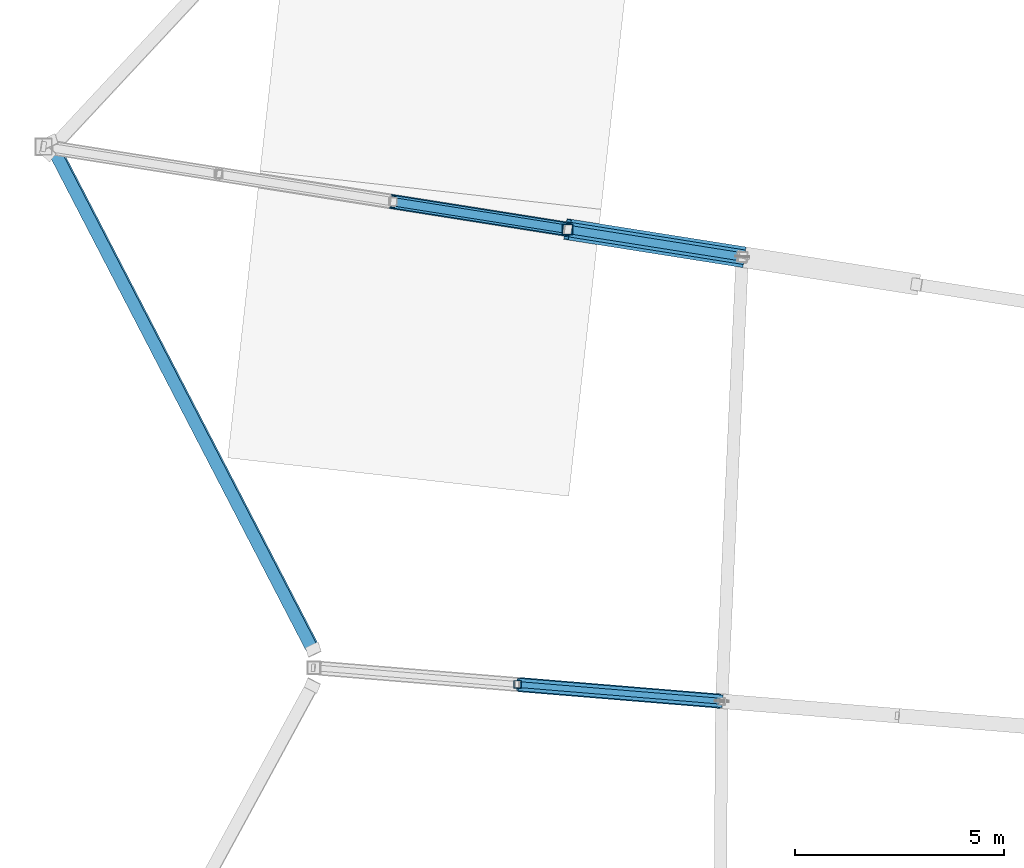
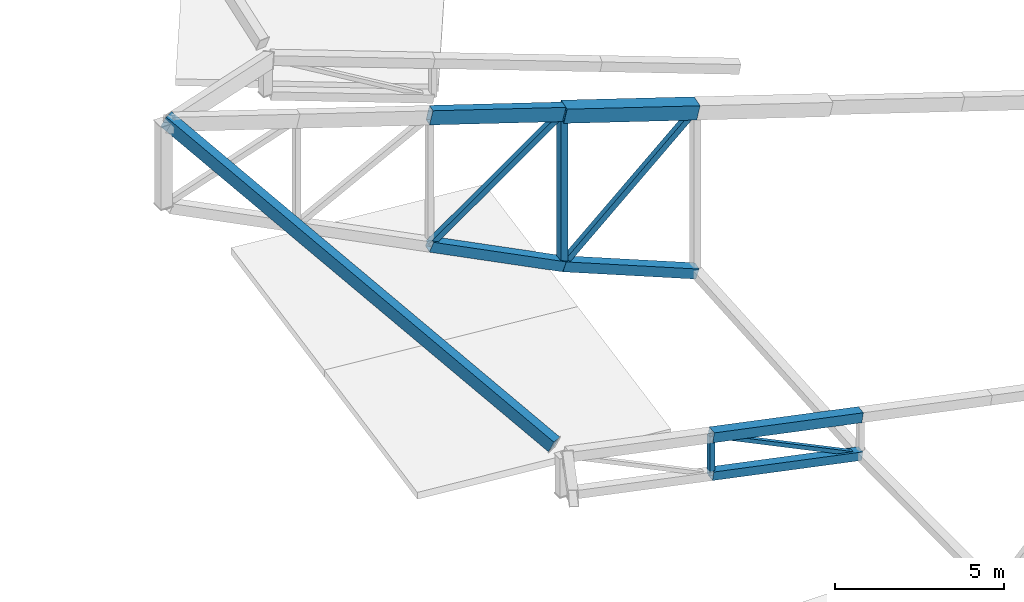
# One storey, part 63 of 188: 11 members, 1 beam.
"""IFC4 building model written with IfcOpenShell, lengths in metres."""

from ifc_helpers import new_model, si_unit, direction, frame, origin, origin_2d, place, context, subcontext, project, spatial, hollow_rectangle, extrude, material, material_profile, profile_set, type_object, element, save


model = new_model("IFC4")

# Units and contexts
model_context = context("Model", 3, precision=1e-05, world=origin(), true_north=direction((0.0, 1.0)))
body_context = subcontext(model_context, "Body", "Model", "MODEL_VIEW")
ifc_project = project(units=[si_unit("LENGTHUNIT", "METRE"), si_unit("AREAUNIT", "SQUARE_METRE"), si_unit("VOLUMEUNIT", "CUBIC_METRE"), si_unit("PLANEANGLEUNIT", "RADIAN"), si_unit("MASSUNIT", "GRAM", prefix="KILO")], contexts=[model_context])

# Site, building, storey
site_placement = place(None, origin())
site = spatial("IfcSite", under=ifc_project, at=site_placement, CompositionType="ELEMENT")
building_placement = place(site_placement, origin())
building = spatial("IfcBuilding", under=site, at=building_placement, Name="Meseta Stadium", CompositionType="ELEMENT")
storey_placement = place(building_placement, frame((0.0, 0.0, 30.0)))
storey = spatial("IfcBuildingStorey", under=building, at=storey_placement, Name="ROOF", CompositionType="ELEMENT", Elevation=30.0)

# Beam
ifc_material_1 = material(Name="Steel S355", Category="steel")
ifc_material_profile_1 = material_profile(ifc_material_1, hollow_rectangle(XDim=0.300048828125, YDim=0.5, WallThickness=0.01611328125, at=origin_2d()), Name="RHS 500x300x16")
ifc_profile_set_1 = profile_set([ifc_material_profile_1], Name="Steel S355")
beam_type = type_object("IfcBeamType", Name="RHS 500x300x16 rim ring beam", PredefinedType="BEAM", material=ifc_profile_set_1)
beam_placement = place(storey_placement, frame((-100.89599609375, 56.314697265625, 10.416015625), z_axis=(0.413927542639, -0.798947238939, -0.436288091559), x_axis=(0.900185463421, 0.43053093908, 0.065644816557)))
element("IfcBeam", 1, at=beam_placement, inside=storey, type_object=beam_type, Name="RIM RING BEAM 29", PredefinedType="BEAM", context=body_context, shape_type="SweptSolid", body=[
    extrude(hollow_rectangle(XDim=0.300048828125, YDim=0.5, WallThickness=0.01611328125, at=origin_2d()), origin(), (0.0, 0.0, 1.0), 15.176513671875),
])

# Members
ifc_material_2 = material(Name="Steel S355", Category="steel")
ifc_material_profile_2 = material_profile(ifc_material_2, hollow_rectangle(XDim=0.300048828125, YDim=0.5, WallThickness=0.01611328125, at=origin_2d()), Name="RHS 500x300x16")
ifc_profile_set_2 = profile_set([ifc_material_profile_2], Name="Steel S355")
member_type_1 = type_object("IfcMemberType", Name="RHS 500x300x16 top chord", PredefinedType="CHORD", material=ifc_profile_set_2)
member_1_placement = place(storey_placement, frame((-88.535400390625, 54.224853515625, 7.621337890625), z_axis=(-0.964269528761, 0.152351087112, 0.216733527999), x_axis=(-0.156060520601, -0.987747495016, 0.0)))
element("IfcMember", 2, at=member_1_placement, inside=storey, type_object=member_type_1, Name="ROOF TRUSS RT-28 top chord", PredefinedType="CHORD", context=body_context, shape_type="SweptSolid", body=[
    extrude(hollow_rectangle(XDim=0.300048828125, YDim=0.5, WallThickness=0.01611328125, at=origin_2d()), origin(), (0.0, 0.0, 1.0), 4.32666015625),
])
ifc_material_3 = material(Name="Steel S355", Category="steel")
ifc_material_profile_3 = material_profile(ifc_material_3, hollow_rectangle(XDim=0.139892578125, YDim=0.139892578125, WallThickness=0.0048828125, at=origin_2d()), Name="SHS 140x140x5")
ifc_profile_set_3 = profile_set([ifc_material_profile_3], Name="Steel S355")
member_type_2 = type_object("IfcMemberType", Name="SHS 140x140x5 diagonal", PredefinedType="BRACE", material=ifc_profile_set_3)
member_2_placement = place(storey_placement, frame((-84.85400390625, 42.948486328125, 0.800048828125), z_axis=(-0.913056189268, 0.075112137414, 0.400857283896), x_axis=(-0.081987573325, -0.99663335175, 0.0)))
element("IfcMember", 3, at=member_2_placement, inside=storey, type_object=member_type_2, Name="ROOF TRUSS RT-29 diagonal", PredefinedType="BRACE", context=body_context, shape_type="SweptSolid", body=[
    extrude(hollow_rectangle(XDim=0.139892578125, YDim=0.139892578125, WallThickness=0.0048828125, at=origin_2d()), origin(), (0.0, 0.0, 1.0), 5.337158203125),
])
ifc_material_4 = material(Name="Steel S355", Category="steel")
ifc_material_profile_4 = material_profile(ifc_material_4, hollow_rectangle(XDim=0.179931640625, YDim=0.179931640625, WallThickness=0.00634765625, at=origin_2d()), Name="SHS 180x180x6.3")
ifc_profile_set_4 = profile_set([ifc_material_profile_4], Name="Steel S355")
member_type_3 = type_object("IfcMemberType", Name="SHS 180x180x6.3 post", PredefinedType="POST", material=ifc_profile_set_4)
member_3_placement = place(storey_placement, frame((-89.72705078125, 43.349365234375, 1.53369140625), z_axis=(0.0, 0.0, 1.0), x_axis=(1.0, 0.0, 0.0)))
element("IfcMember", 4, at=member_3_placement, inside=storey, type_object=member_type_3, Name="ROOF TRUSS RT-29 post", PredefinedType="POST", context=body_context, shape_type="SweptSolid", body=[
    extrude(hollow_rectangle(XDim=0.179931640625, YDim=0.179931640625, WallThickness=0.00634765625, at=origin_2d()), origin(), (0.0, 0.0, 1.0), 1.40576171875),
])
ifc_material_5 = material(Name="Steel S355", Category="steel")
ifc_material_profile_5 = material_profile(ifc_material_5, hollow_rectangle(XDim=0.199951171875, YDim=0.199951171875, WallThickness=0.008056640625, at=origin_2d()), Name="SHS 200x200x8")
ifc_profile_set_5 = profile_set([ifc_material_profile_5], Name="Steel S355")
member_type_4 = type_object("IfcMemberType", Name="SHS 200x200x8 diagonal", PredefinedType="BRACE", material=ifc_profile_set_5)
member_4_placement = place(storey_placement, frame((-84.36328125, 53.5654296875, 6.683349609375), z_axis=(-0.671062586464, 0.106064722689, -0.733774679073), x_axis=(-0.156116912313, -0.98773858368, 0.0)))
element("IfcMember", 5, at=member_4_placement, inside=storey, type_object=member_type_4, Name="ROOF TRUSS RT-28 diagonal", PredefinedType="BRACE", context=body_context, shape_type="SweptSolid", body=[
    extrude(hollow_rectangle(XDim=0.199951171875, YDim=0.199951171875, WallThickness=0.008056640625, at=origin_2d()), origin(), (0.0, 0.0, 1.0), 6.21728515625),
])
member_5_placement = place(storey_placement, frame((-88.535400390625, 54.224853515625, 7.621337890625), z_axis=(-0.740492693819, 0.116995159068, -0.661802616461), x_axis=(-0.156060520601, -0.987747495016, 0.0)))
element("IfcMember", 6, at=member_5_placement, inside=storey, type_object=member_type_4, Name="ROOF TRUSS RT-28 diagonal", PredefinedType="BRACE", context=body_context, shape_type="SweptSolid", body=[
    extrude(hollow_rectangle(XDim=0.199951171875, YDim=0.199951171875, WallThickness=0.008056640625, at=origin_2d()), origin(), (0.0, 0.0, 1.0), 5.63427734375),
])
ifc_material_6 = material(Name="Steel S355", Category="steel")
ifc_material_profile_6 = material_profile(ifc_material_6, hollow_rectangle(XDim=0.25, YDim=0.25, WallThickness=0.010009765625, at=origin_2d()), Name="SHS 250x250x10")
ifc_profile_set_6 = profile_set([ifc_material_profile_6], Name="Steel S355")
member_type_5 = type_object("IfcMemberType", Name="SHS 250x250x10 post", PredefinedType="POST", material=ifc_profile_set_6)
member_6_placement = place(storey_placement, frame((-88.535400390625, 54.224853515625, 2.121337890625), z_axis=(0.0, 0.0, 1.0), x_axis=(1.0, 0.0, 0.0)))
element("IfcMember", 7, at=member_6_placement, inside=storey, type_object=member_type_5, Name="ROOF TRUSS RT-28 post", PredefinedType="POST", context=body_context, shape_type="SweptSolid", body=[
    extrude(hollow_rectangle(XDim=0.25, YDim=0.25, WallThickness=0.010009765625, at=origin_2d()), origin(), (0.0, 0.0, 1.0), 5.5),
])
ifc_material_7 = material(Name="Steel S355", Category="steel")
ifc_material_profile_7 = material_profile(ifc_material_7, hollow_rectangle(XDim=0.300048828125, YDim=0.300048828125, WallThickness=0.010009765625, at=origin_2d()), Name="SHS 300x300x10")
ifc_profile_set_7 = profile_set([ifc_material_profile_7], Name="Steel S355")
member_type_6 = type_object("IfcMemberType", Name="SHS 300x300x10 bottom chord", PredefinedType="CHORD", material=ifc_profile_set_7)
member_7_placement = place(storey_placement, frame((-84.85400390625, 42.948486328125, 0.800048828125), z_axis=(-0.985600553192, 0.081079965348, 0.148383249616), x_axis=(-0.081987573325, -0.99663335175, 0.0)))
element("IfcMember", 8, at=member_7_placement, inside=storey, type_object=member_type_6, Name="ROOF TRUSS RT-29 bottom chord", PredefinedType="CHORD", context=body_context, shape_type="SweptSolid", body=[
    extrude(hollow_rectangle(XDim=0.300048828125, YDim=0.300048828125, WallThickness=0.010009765625, at=origin_2d()), origin(), (0.0, 0.0, 1.0), 4.9443359375),
])
ifc_material_8 = material(Name="Steel S355", Category="steel")
ifc_material_profile_8 = material_profile(ifc_material_8, hollow_rectangle(XDim=0.35009765625, YDim=0.35009765625, WallThickness=0.010009765625, at=origin_2d()), Name="SHS 350x350x10")
ifc_profile_set_8 = profile_set([ifc_material_profile_8], Name="Steel S355")
member_type_7 = type_object("IfcMemberType", Name="SHS 350x350x10 bottom chord", PredefinedType="CHORD", material=ifc_profile_set_8)
member_8_placement = place(storey_placement, frame((-84.36328125, 53.5654296875, 0.800048828125), z_axis=(-0.942692976279, 0.14899723383, 0.298546104958), x_axis=(-0.156116912313, -0.98773858368, 0.0)))
element("IfcMember", 9, at=member_8_placement, inside=storey, type_object=member_type_7, Name="ROOF TRUSS RT-28 bottom chord", PredefinedType="CHORD", context=body_context, shape_type="SweptSolid", body=[
    extrude(hollow_rectangle(XDim=0.35009765625, YDim=0.35009765625, WallThickness=0.010009765625, at=origin_2d()), origin(), (0.0, 0.0, 1.0), 4.42578125),
])
member_9_placement = place(storey_placement, frame((-88.535400390625, 54.224853515625, 2.121337890625), z_axis=(-0.910899881436, 0.143918876463, 0.386715351385), x_axis=(-0.156060520601, -0.987747495016, 0.0)))
element("IfcMember", 10, at=member_9_placement, inside=storey, type_object=member_type_7, Name="ROOF TRUSS RT-28 bottom chord", PredefinedType="CHORD", context=body_context, shape_type="SweptSolid", body=[
    extrude(hollow_rectangle(XDim=0.35009765625, YDim=0.35009765625, WallThickness=0.010009765625, at=origin_2d()), origin(), (0.0, 0.0, 1.0), 4.580322265625),
])
ifc_material_9 = material(Name="Steel S355", Category="steel")
ifc_material_profile_9 = material_profile(ifc_material_9, hollow_rectangle(XDim=0.35009765625, YDim=0.35009765625, WallThickness=0.010009765625, at=origin_2d()), Name="SHS 350x350x10")
ifc_profile_set_9 = profile_set([ifc_material_profile_9], Name="Steel S355")
member_type_8 = type_object("IfcMemberType", Name="SHS 350x350x10 top chord", PredefinedType="CHORD", material=ifc_profile_set_9)
member_10_placement = place(storey_placement, frame((-84.85400390625, 42.948486328125, 2.205810546875), z_axis=(-0.985600553192, 0.081079965348, 0.148383249616), x_axis=(-0.081987573325, -0.99663335175, 0.0)))
element("IfcMember", 11, at=member_10_placement, inside=storey, type_object=member_type_8, Name="ROOF TRUSS RT-29 top chord", PredefinedType="CHORD", context=body_context, shape_type="SweptSolid", body=[
    extrude(hollow_rectangle(XDim=0.35009765625, YDim=0.35009765625, WallThickness=0.010009765625, at=origin_2d()), origin(), (0.0, 0.0, 1.0), 4.9443359375),
])
ifc_material_10 = material(Name="Steel S355", Category="steel")
ifc_material_profile_10 = material_profile(ifc_material_10, hollow_rectangle(XDim=0.5, YDim=0.5, WallThickness=0.01611328125, at=origin_2d()), Name="SHS 500x500x16")
ifc_profile_set_10 = profile_set([ifc_material_profile_10], Name="Steel S355")
member_type_9 = type_object("IfcMemberType", Name="SHS 500x500x16 top chord", PredefinedType="CHORD", material=ifc_profile_set_10)
member_11_placement = place(storey_placement, frame((-84.36328125, 53.5654296875, 6.683349609375), z_axis=(-0.964249444355, 0.152404339002, 0.216785438891), x_axis=(-0.156116912313, -0.98773858368, 0.0)))
element("IfcMember", 12, at=member_11_placement, inside=storey, type_object=member_type_9, Name="ROOF TRUSS RT-28 top chord", PredefinedType="CHORD", context=body_context, shape_type="SweptSolid", body=[
    extrude(hollow_rectangle(XDim=0.5, YDim=0.5, WallThickness=0.01611328125, at=origin_2d()), origin(), (0.0, 0.0, 1.0), 4.326904296875),
])

save(model, "model.ifc")
